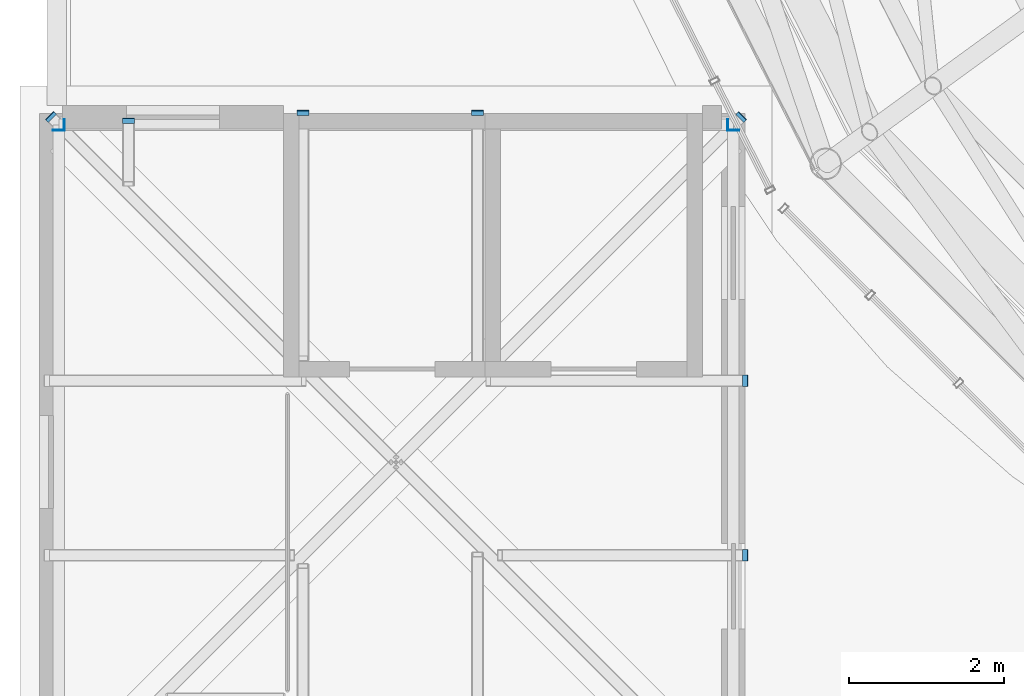
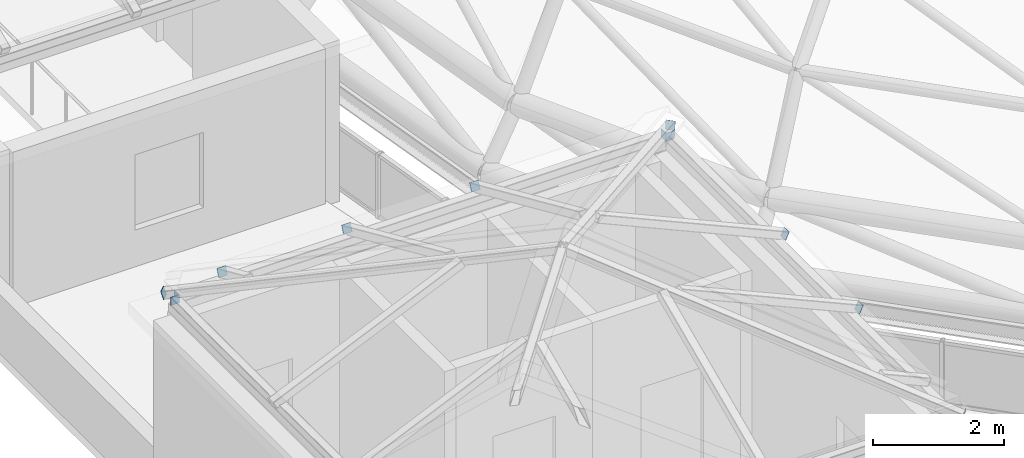
# One storey, part 59 of 69: 11 discrete accessories.
"""IFC4 building model written with IfcOpenShell, lengths in metres."""

from ifc_helpers import new_model, si_unit, direction, frame, origin, origin_2d, place, context, subcontext, project, spatial, rectangle, extrude, material, material_profile, profile_set, type_object, element, save


model = new_model("IFC4")

# Units and contexts
model_context = context("Model", 3, precision=1e-05, world=origin(), true_north=direction((0.0, 1.0)))
body_context = subcontext(model_context, "Body", "Model", "MODEL_VIEW")
ifc_project = project(units=[si_unit("LENGTHUNIT", "METRE"), si_unit("AREAUNIT", "SQUARE_METRE"), si_unit("VOLUMEUNIT", "CUBIC_METRE"), si_unit("PLANEANGLEUNIT", "RADIAN"), si_unit("MASSUNIT", "GRAM", prefix="KILO")], contexts=[model_context])

# Site, building, storey
site_placement = place(None, origin())
site = spatial("IfcSite", under=ifc_project, at=site_placement, CompositionType="ELEMENT")
building_placement = place(site_placement, origin())
building = spatial("IfcBuilding", under=site, at=building_placement, Name="Kallimachos Central Library", CompositionType="ELEMENT")
storey_placement = place(building_placement, frame((0.0, 0.0, 23.39990234375)))
storey = spatial("IfcBuildingStorey", under=building, at=storey_placement, Name="L05", CompositionType="ELEMENT", Elevation=23.39990234375)

# Discrete accessories
ifc_material = material(Name="Steel S355J2", Category="steel")
ifc_material_profile = material_profile(ifc_material, rectangle(XDim=0.14990234375, YDim=0.14990234375, at=origin_2d()), Name="End cap plate 10, 150x150")
ifc_profile_set = profile_set([ifc_material_profile], Name="Steel S355J2")
discrete_accessory_type = type_object("IfcDiscreteAccessoryType", Name="End cap plate 10, 150x150", PredefinedType="BRACKET", material=ifc_profile_set)
for number, where, z_axis, x_axis, name in (
    (1, (65.715087890625, 95.85009765625, 4.025146484375), (1.0, 0.0, 0.0), (0.0, 1.0, 0.0), "End cap plate"),
    (2, (74.27490234375, 95.85009765625, 4.025146484375), (1.0, 0.0, 0.0), (0.0, 1.0, 0.0), "End cap plate"),
    (3, (65.64990234375, 95.77490234375, 4.025146484375), (0.0, 1.0, 0.0), (-1.0, 0.0, 0.0), "End cap plate"),
    (4, (74.35009765625, 95.77490234375, 4.025146484375), (0.0, 1.0, 0.0), (-1.0, 0.0, 0.0), "End cap plate"),
):
    element("IfcDiscreteAccessory", number, at=place(storey_placement, frame(where, z_axis=z_axis, x_axis=x_axis)), inside=storey, type_object=discrete_accessory_type, Name=name, PredefinedType="BRACKET", context=body_context, shape_type="SweptSolid", body=[
        extrude(rectangle(XDim=0.14990234375, YDim=0.14990234375, at=origin_2d()), origin(), (0.0, 0.0, 1.0), 0.010009765625),
    ])
discrete_accessory_placement = place(storey_placement, frame((66.550048828125, 95.9091796875, 4.15576171875), z_axis=(0.0, -0.912818251895, 0.408366060058), x_axis=(1.0, 0.0, 0.0)))
element("IfcDiscreteAccessory", 5, at=discrete_accessory_placement, inside=storey, type_object=discrete_accessory_type, Name="End cap plate", PredefinedType="BRACKET", context=body_context, shape_type="SweptSolid", body=[
    extrude(rectangle(XDim=0.14990234375, YDim=0.14990234375, at=origin_2d()), origin(), (0.0, 0.0, 1.0), 0.01025390625),
])
for number, where, z_axis, x_axis, name in (
    (6, (68.800048828125, 96.009033203125, 4.111328125), (0.0, -0.908676843963, 0.417500171551), (1.0, 0.0, 0.0), "End cap plate"),
    (7, (71.050048828125, 96.009033203125, 4.111328125), (0.0, -0.908676843963, 0.417500171551), (1.0, 0.0, 0.0), "End cap plate"),
    (8, (74.509033203125, 90.300048828125, 4.111328125), (-0.908676843963, 0.0, 0.417500171551), (0.0, -1.0, 0.0), "End cap plate"),
    (9, (74.509033203125, 92.550048828125, 4.111328125), (-0.908676843963, 0.0, 0.417500171551), (0.0, -1.0, 0.0), "End cap plate"),
    (10, (65.543212890625, 95.956787109375, 4.08447265625), (0.676715542332, -0.676715542332, 0.290020946714), (0.707106781187, 0.707106781187, 0.0), "End cap plate"),
    (11, (74.456787109375, 95.956787109375, 4.08447265625), (-0.676715542332, -0.676715542332, 0.290020946714), (0.707106781187, -0.707106781187, 0.0), "End cap plate"),
):
    element("IfcDiscreteAccessory", number, at=place(storey_placement, frame(where, z_axis=z_axis, x_axis=x_axis)), inside=storey, type_object=discrete_accessory_type, Name=name, PredefinedType="BRACKET", context=body_context, shape_type="SweptSolid", body=[
        extrude(rectangle(XDim=0.14990234375, YDim=0.14990234375, at=origin_2d()), origin(), (0.0, 0.0, 1.0), 0.010009765625),
    ])

save(model, "model.ifc")
